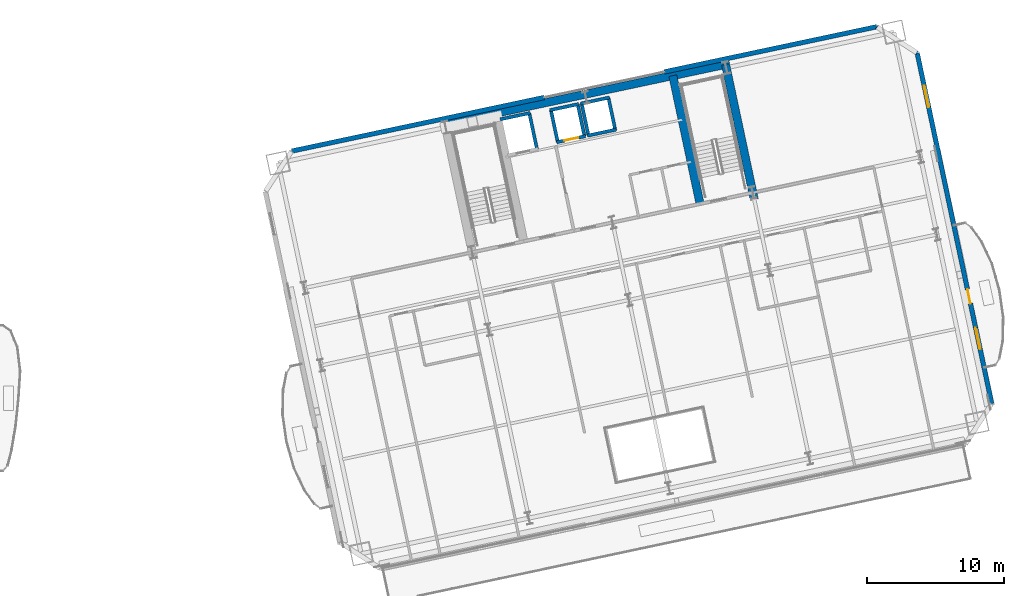
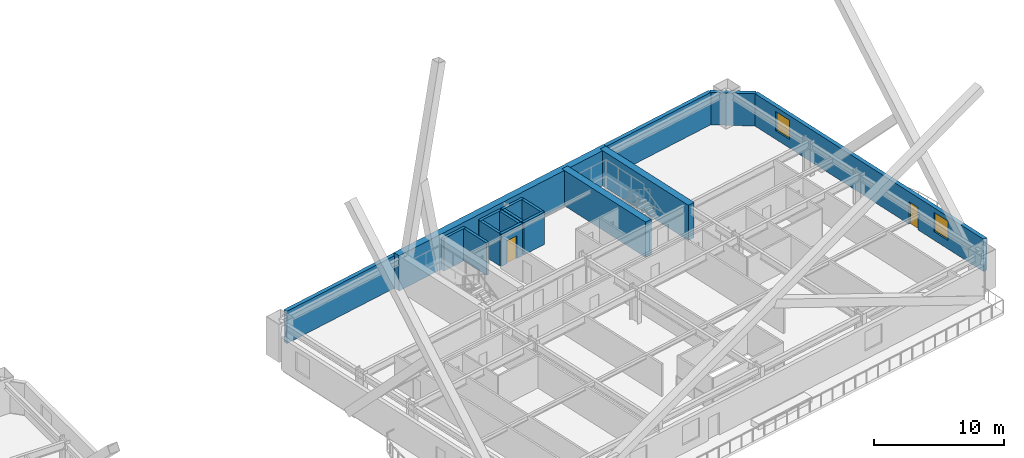
# One storey, part 15 of 25: 17 walls, 2 doors, 2 windows, 4 openings.
"""IFC4 building model written with IfcOpenShell, lengths in metres."""

from ifc_helpers import new_model, si_unit, direction, frame, frame_2d, origin, place, context, subcontext, project, spatial, rectangle, extrude, material, layer, layer_set, type_object, element, fill, save


model = new_model("IFC4")

# Units and contexts
model_context = context("Model", 3, precision=1e-05, world=origin(), true_north=direction((0.0, 1.0)))
body_context = subcontext(model_context, "Body", "Model", "MODEL_VIEW")
ifc_project = project(units=[si_unit("LENGTHUNIT", "METRE"), si_unit("AREAUNIT", "SQUARE_METRE"), si_unit("VOLUMEUNIT", "CUBIC_METRE"), si_unit("PLANEANGLEUNIT", "RADIAN"), si_unit("MASSUNIT", "GRAM", prefix="KILO")], contexts=[model_context])

# Site, building, storey
site_placement = place(None, origin())
site = spatial("IfcSite", under=ifc_project, at=site_placement, CompositionType="ELEMENT")
building_placement = place(site_placement, origin())
building = spatial("IfcBuilding", under=site, at=building_placement, Name="Haevon Station Towers", CompositionType="ELEMENT")
storey_placement = place(building_placement, frame((0.0, 0.0, 50.39990234375)))
storey = spatial("IfcBuildingStorey", under=building, at=storey_placement, Name="L12", CompositionType="ELEMENT", Elevation=50.39990234375)

# Walls
ifc_material_1 = material(Name="Concrete C60/75", Category="concrete")
ifc_layer_1 = layer(ifc_material_1, 0.60009765625)
ifc_layer_set_1 = layer_set([ifc_layer_1], Name="Concrete C60/75")
wall_type_1 = type_object("IfcWallType", Name="WL-CR600", PredefinedType="SHEAR", material=ifc_layer_set_1)
wall_1_placement = place(storey_placement, frame((96.462890625, 46.770263671875, 0.0), z_axis=(0.0, 0.0, 1.0), x_axis=(0.978147272959, 0.207913232873, 0.0)))
element("IfcWall", 1, at=wall_1_placement, inside=storey, type_object=wall_type_1, Name="WL-T2CR-L12-N", PredefinedType="SHEAR", context=body_context, shape_type="SweptSolid", body=[
    extrude(rectangle(XDim=21.60009765625, YDim=0.60009765625, at=frame_2d((10.800048828125, 0.0))), origin(), (0.0, 0.0, 1.0), 3.300048828125),
])
wall_2_placement = place(storey_placement, frame((119.401611328125, 41.2998046875, 0.0), z_axis=(0.0, 0.0, 1.0), x_axis=(-0.207904342798, 0.978149162575, 0.0)))
element("IfcWall", 2, at=wall_2_placement, inside=storey, type_object=wall_type_1, Name="WL-T2CR-L12-E", PredefinedType="SHEAR", context=body_context, shape_type="SweptSolid", body=[
    extrude(rectangle(XDim=10.1201171875, YDim=0.60009765625, at=frame_2d((5.06005859375, 0.0))), origin(), (0.0, 0.0, 1.0), 3.300048828125),
])
wall_3_placement = place(storey_placement, frame((115.4296875, 40.9873046875, 0.0), z_axis=(0.0, 0.0, 1.0), x_axis=(-0.207903162969, 0.978149413345, 0.0)))
element("IfcWall", 3, at=wall_3_placement, inside=storey, type_object=wall_type_1, Name="WL-T2CR-L12-M2", PredefinedType="SHEAR", context=body_context, shape_type="SweptSolid", body=[
    extrude(rectangle(XDim=9.599853515625, YDim=0.60009765625, at=frame_2d((4.7998046875, 0.0))), origin(), (0.0, 0.0, 1.0), 3.300048828125),
])
ifc_material_2 = material(Name="Precast concrete C45/55", Category="concrete")
ifc_layer_2 = layer(ifc_material_2, 0.340087890625)
ifc_layer_set_2 = layer_set([ifc_layer_2], Name="Precast concrete C45/55")
wall_type_2 = type_object("IfcWallType", Name="WL-EXT-PIER340", PredefinedType="SOLIDWALL", material=ifc_layer_set_2)
wall_4_placement = place(storey_placement, frame((85.5224609375, 44.853759765625, 0.0), z_axis=(0.0, 0.0, 1.0), x_axis=(0.978148147056, 0.207909120558, 0.0)))
element("IfcWall", 4, at=wall_4_placement, inside=storey, type_object=wall_type_2, Name="WL-T2-L12-N1", PredefinedType="SOLIDWALL", context=body_context, shape_type="SweptSolid", body=[
    extrude(rectangle(XDim=18.89990234375, YDim=0.340087890625, at=frame_2d((9.449951171875, 0.0))), origin(), (0.0, 0.0, 1.0), 3.030029296875),
])
wall_5_placement = place(storey_placement, frame((112.812744140625, 50.654541015625, 0.0), z_axis=(0.0, 0.0, 1.0), x_axis=(0.978149132848, 0.207904482658, 0.0)))
element("IfcWall", 5, at=wall_5_placement, inside=storey, type_object=wall_type_2, Name="WL-T2-L12-N2", PredefinedType="SOLIDWALL", context=body_context, shape_type="SweptSolid", body=[
    extrude(rectangle(XDim=15.89990234375, YDim=0.340087890625, at=frame_2d((7.949951171875, 0.0))), origin(), (0.0, 0.0, 1.0), 3.030029296875),
])
wall_6_placement = place(storey_placement, frame((128.365234375, 53.960205078125, 0.0), z_axis=(0.0, 0.0, 1.0), x_axis=(0.838672309694, -0.544636352948, 0.0)))
element("IfcWall", 6, at=wall_6_placement, inside=storey, type_object=wall_type_2, Name="WL-T2-L12-NEC", PredefinedType="SOLIDWALL", context=body_context, shape_type="SweptSolid", body=[
    extrude(rectangle(XDim=3.535400390625, YDim=0.340087890625, at=frame_2d((1.767578125, 0.0))), origin(), (0.0, 0.0, 1.0), 3.030029296875),
])

# Wall, openings, door, windows
wall_7_placement = place(storey_placement, frame((131.330322265625, 52.03466796875, 0.0), z_axis=(0.0, 0.0, 1.0), x_axis=(0.207913593786, -0.978147196244, 0.0)))
wall_7 = element("IfcWall", 7, at=wall_7_placement, inside=storey, type_object=wall_type_2, Name="WL-T2-L12-E", PredefinedType="SOLIDWALL", context=body_context, shape_type="SweptSolid", body=[
    extrude(rectangle(XDim=26.250244140625, YDim=0.340087890625, at=frame_2d((13.125, 0.0))), origin(), (0.0, 0.0, 1.0), 3.030029296875),
])
opening_1_placement = place(wall_7_placement, frame((17.699951171875, 0.0, 0.0)))
opening_1 = element("IfcOpeningElement", 8, at=opening_1_placement, cuts=wall_7, Name="Opening DR-T2-SCAL-L12-E", PredefinedType="OPENING", context=body_context, shape_type="SweptSolid", body=[
    extrude(rectangle(XDim=1.050048828125, YDim=2.10009765625, at=frame_2d((0.52490234375, 1.050048828125))), frame((0.0, 0.179931640625, 0.0), z_axis=(0.0, -1.0, 0.0), x_axis=(1.0, 0.0, 0.0)), (0.0, 0.0, 1.0), 0.360107421875),
])
opening_2_placement = place(wall_7_placement, frame((2.4462890625, 0.0, 0.800048828125)))
opening_2 = element("IfcOpeningElement", 9, at=opening_2_placement, cuts=wall_7, Name="Opening WN-END160", PredefinedType="OPENING", context=body_context, shape_type="SweptSolid", body=[
    extrude(rectangle(XDim=1.60009765625, YDim=1.800048828125, at=frame_2d((0.800048828125, 0.89990234375))), frame((0.0, 0.179931640625, 0.0), z_axis=(0.0, -1.0, 0.0), x_axis=(1.0, 0.0, 0.0)), (0.0, 0.0, 1.0), 0.360107421875),
])
opening_3_placement = place(wall_7_placement, frame((20.55712890625, 0.0, 0.800048828125)))
opening_3 = element("IfcOpeningElement", 10, at=opening_3_placement, cuts=wall_7, Name="Opening WN-END160", PredefinedType="OPENING", context=body_context, shape_type="SweptSolid", body=[
    extrude(rectangle(XDim=1.60009765625, YDim=1.800048828125, at=frame_2d((0.800048828125, 0.89990234375))), frame((0.0, 0.179931640625, 0.0), z_axis=(0.0, -1.0, 0.0), x_axis=(1.0, 0.0, 0.0)), (0.0, 0.0, 1.0), 0.360107421875),
])
ifc_material_3 = material(Name="Thermally broken anodised aluminium and laminated safety glass", Category="aluminium")
door_type_1 = type_object("IfcDoorType", Name="DR-BALC-1050", OperationType="NOTDEFINED", PredefinedType="DOOR", material=ifc_material_3)
door_1_placement = place(opening_1_placement, origin())
door_1 = element("IfcDoor", 11, at=door_1_placement, inside=storey, type_object=door_type_1, Name="Tower 2 L12 East Scalloped Balcony Door", OperationType="SINGLE_SWING_LEFT", OverallHeight=2.10009765625, OverallWidth=1.050048828125, PredefinedType="DOOR", context=body_context, shape_type="SweptSolid", body=[
    extrude(rectangle(XDim=1.050048828125, YDim=2.10009765625, at=frame_2d((0.52490234375, 1.050048828125))), frame((0.0, 0.02490234375, 0.0), z_axis=(0.0, -1.0, 0.0), x_axis=(1.0, 0.0, 0.0)), (0.0, 0.0, 1.0), 0.050048828125),
])
fill(opening_1, door_1)
ifc_material_4 = material(Name="Low-E triple glazing in thermally broken aluminium", Category="aluminium")
window_type = type_object("IfcWindowType", Name="WN-END160", PartitioningType="SINGLE_PANEL", PredefinedType="WINDOW", material=ifc_material_4)
window_1_placement = place(opening_2_placement, origin())
window_1 = element("IfcWindow", 12, at=window_1_placement, inside=storey, type_object=window_type, Name="WN-T2-L12-E01", OverallHeight=1.800048828125, OverallWidth=1.60009765625, PartitioningType="SINGLE_PANEL", PredefinedType="WINDOW", context=body_context, shape_type="SweptSolid", body=[
    extrude(rectangle(XDim=1.60009765625, YDim=1.800048828125, at=frame_2d((0.800048828125, 0.89990234375))), frame((0.0, 0.030029296875, 0.0), z_axis=(0.0, -1.0, 0.0), x_axis=(1.0, 0.0, 0.0)), (0.0, 0.0, 1.0), 0.06005859375),
])
fill(opening_2, window_1)
window_2_placement = place(opening_3_placement, origin())
window_2 = element("IfcWindow", 13, at=window_2_placement, inside=storey, type_object=window_type, Name="WN-T2-L12-E02", OverallHeight=1.800048828125, OverallWidth=1.60009765625, PartitioningType="SINGLE_PANEL", PredefinedType="WINDOW", context=body_context, shape_type="SweptSolid", body=[
    extrude(rectangle(XDim=1.60009765625, YDim=1.800048828125, at=frame_2d((0.800048828125, 0.89990234375))), frame((0.0, 0.030029296875, 0.0), z_axis=(0.0, -1.0, 0.0), x_axis=(1.0, 0.0, 0.0)), (0.0, 0.0, 1.0), 0.06005859375),
])
fill(opening_3, window_2)

# Walls
ifc_material_5 = material(Name="Concrete C40/50", Category="concrete")
ifc_layer_3 = layer(ifc_material_5, 0.239990234375)
ifc_layer_set_3 = layer_set([ifc_layer_3], Name="Concrete C40/50")
wall_type_3 = type_object("IfcWallType", Name="WL-SHF240", PredefinedType="PARTITIONING", material=ifc_layer_set_3)
wall_8_placement = place(storey_placement, frame((100.79248046875, 47.179443359375, 0.0), z_axis=(0.0, 0.0, 1.0), x_axis=(0.978162968872, 0.207839376268, 0.0)))
element("IfcWall", 14, at=wall_8_placement, inside=storey, type_object=wall_type_3, Name="WL-SHF-FL2-L12-N", PredefinedType="PARTITIONING", context=body_context, shape_type="SweptSolid", body=[
    extrude(rectangle(XDim=2.260009765625, YDim=0.239990234375, at=frame_2d((1.1298828125, 0.0))), origin(), (0.0, 0.0, 1.0), 3.030029296875),
])
wall_9_placement = place(storey_placement, frame((103.486328125, 44.99169921875, 0.0), z_axis=(0.0, 0.0, 1.0), x_axis=(-0.207978798957, 0.978133334052, 0.0)))
element("IfcWall", 15, at=wall_9_placement, inside=storey, type_object=wall_type_3, Name="WL-SHF-FL2-L12-E", PredefinedType="PARTITIONING", context=body_context, shape_type="SweptSolid", body=[
    extrude(rectangle(XDim=2.699951171875, YDim=0.239990234375, at=frame_2d((1.35009765625, 0.0))), origin(), (0.0, 0.0, 1.0), 3.030029296875),
])

# Wall, opening, door
wall_10_placement = place(storey_placement, frame((104.931396484375, 45.503173828125, 0.0), z_axis=(0.0, 0.0, 1.0), x_axis=(0.97813528961, 0.207969601673, 0.0)))
wall_10 = element("IfcWall", 16, at=wall_10_placement, inside=storey, type_object=wall_type_3, Name="WL-SHF-PL7-L12", PredefinedType="PARTITIONING", context=body_context, shape_type="SweptSolid", body=[
    extrude(rectangle(XDim=2.159912109375, YDim=0.239990234375, at=frame_2d((1.080078125, 0.0))), origin(), (0.0, 0.0, 1.0), 3.030029296875),
])
opening_4_placement = place(wall_10_placement, frame((0.554931640625, 0.0, 0.0)))
opening_4 = element("IfcOpeningElement", 17, at=opening_4_placement, cuts=wall_10, Name="Opening LD-PL7-L12", PredefinedType="OPENING", context=body_context, shape_type="SweptSolid", body=[
    extrude(rectangle(XDim=1.050048828125, YDim=2.14990234375, at=frame_2d((0.52490234375, 1.074951171875))), frame((0.0, 0.1298828125, 0.0), z_axis=(0.0, -1.0, 0.0), x_axis=(1.0, 0.0, 0.0)), (0.0, 0.0, 1.0), 0.260009765625),
])
ifc_material_6 = material(Name="Stainless steel and rated core", Category="steel")
door_type_2 = type_object("IfcDoorType", Name="LD-PL1050", OperationType="SLIDING_TO_LEFT", PredefinedType="DOOR", material=ifc_material_6)
door_2_placement = place(opening_4_placement, origin())
door_2 = element("IfcDoor", 18, at=door_2_placement, inside=storey, type_object=door_type_2, Name="L12 Lift PL7 Sliding Landing Door", OperationType="SLIDING_TO_LEFT", OverallHeight=2.14990234375, OverallWidth=1.050048828125, PredefinedType="DOOR", context=body_context, shape_type="SweptSolid", body=[
    extrude(rectangle(XDim=1.050048828125, YDim=2.14990234375, at=frame_2d((0.52490234375, 1.074951171875))), frame((0.0, 0.02490234375, 0.0), z_axis=(0.0, -1.0, 0.0), x_axis=(1.0, 0.0, 0.0)), (0.0, 0.0, 1.0), 0.050048828125),
])
fill(opening_4, door_2)

# Walls
wall_11_placement = place(storey_placement, frame((104.432373046875, 47.850830078125, 0.0), z_axis=(0.0, 0.0, 1.0), x_axis=(0.978158276388, 0.207861459473, 0.0)))
element("IfcWall", 19, at=wall_11_placement, inside=storey, type_object=wall_type_3, Name="WL-SHF-PL7-L12-N", PredefinedType="PARTITIONING", context=body_context, shape_type="SweptSolid", body=[
    extrude(rectangle(XDim=2.159912109375, YDim=0.239990234375, at=frame_2d((1.080078125, 0.0))), origin(), (0.0, 0.0, 1.0), 3.030029296875),
])
wall_12_placement = place(storey_placement, frame((105.009765625, 45.519775390625, 0.0), z_axis=(0.0, 0.0, 1.0), x_axis=(-0.207917150959, 0.978146440129, 0.0)))
element("IfcWall", 20, at=wall_12_placement, inside=storey, type_object=wall_type_3, Name="WL-SHF-PL7-L12-W", PredefinedType="PARTITIONING", context=body_context, shape_type="SweptSolid", body=[
    extrude(rectangle(XDim=2.400146484375, YDim=0.239990234375, at=frame_2d((1.2001953125, 0.0))), origin(), (0.0, 0.0, 1.0), 3.030029296875),
])
wall_13_placement = place(storey_placement, frame((106.966064453125, 45.935791015625, 0.0), z_axis=(0.0, 0.0, 1.0), x_axis=(-0.207937840262, 0.978142042133, 0.0)))
element("IfcWall", 21, at=wall_13_placement, inside=storey, type_object=wall_type_3, Name="WL-SHF-PL7-L12-E", PredefinedType="PARTITIONING", context=body_context, shape_type="SweptSolid", body=[
    extrude(rectangle(XDim=2.39990234375, YDim=0.239990234375, at=frame_2d((1.199951171875, 0.0))), origin(), (0.0, 0.0, 1.0), 3.030029296875),
])
for number, where, z_axis, x_axis, name in (
    (22, (107.18115234375, 45.9814453125, 0.0), (0.0, 0.0, 1.0), (0.97813528961, 0.207969601673, 0.0), "WL-SHF-PL8-L12"),
    (23, (106.68212890625, 48.3291015625, 0.0), (0.0, 0.0, 1.0), (0.978158276388, 0.207861459473, 0.0), "WL-SHF-PL8-L12-N"),
):
    element("IfcWall", number, at=place(storey_placement, frame(where, z_axis=z_axis, x_axis=x_axis)), inside=storey, type_object=wall_type_3, Name=name, PredefinedType="PARTITIONING", context=body_context, shape_type="SweptSolid", body=[
        extrude(rectangle(XDim=2.159912109375, YDim=0.239990234375, at=frame_2d((1.080078125, 0.0))), origin(), (0.0, 0.0, 1.0), 3.030029296875),
    ])
for number, where, z_axis, x_axis, name in (
    (24, (107.259521484375, 45.998046875, 0.0), (0.0, 0.0, 1.0), (-0.207917150959, 0.978146440129, 0.0), "WL-SHF-PL8-L12-W"),
    (25, (109.2158203125, 46.413818359375, 0.0), (0.0, 0.0, 1.0), (-0.207917150959, 0.978146440129, 0.0), "WL-SHF-PL8-L12-E"),
):
    element("IfcWall", number, at=place(storey_placement, frame(where, z_axis=z_axis, x_axis=x_axis)), inside=storey, type_object=wall_type_3, Name=name, PredefinedType="PARTITIONING", context=body_context, shape_type="SweptSolid", body=[
        extrude(rectangle(XDim=2.400146484375, YDim=0.239990234375, at=frame_2d((1.2001953125, 0.0))), origin(), (0.0, 0.0, 1.0), 3.030029296875),
    ])

save(model, "model.ifc")
